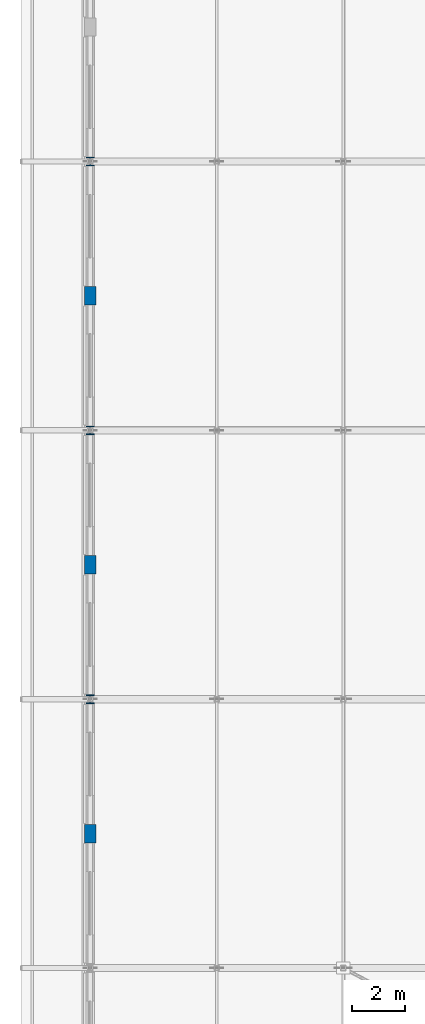
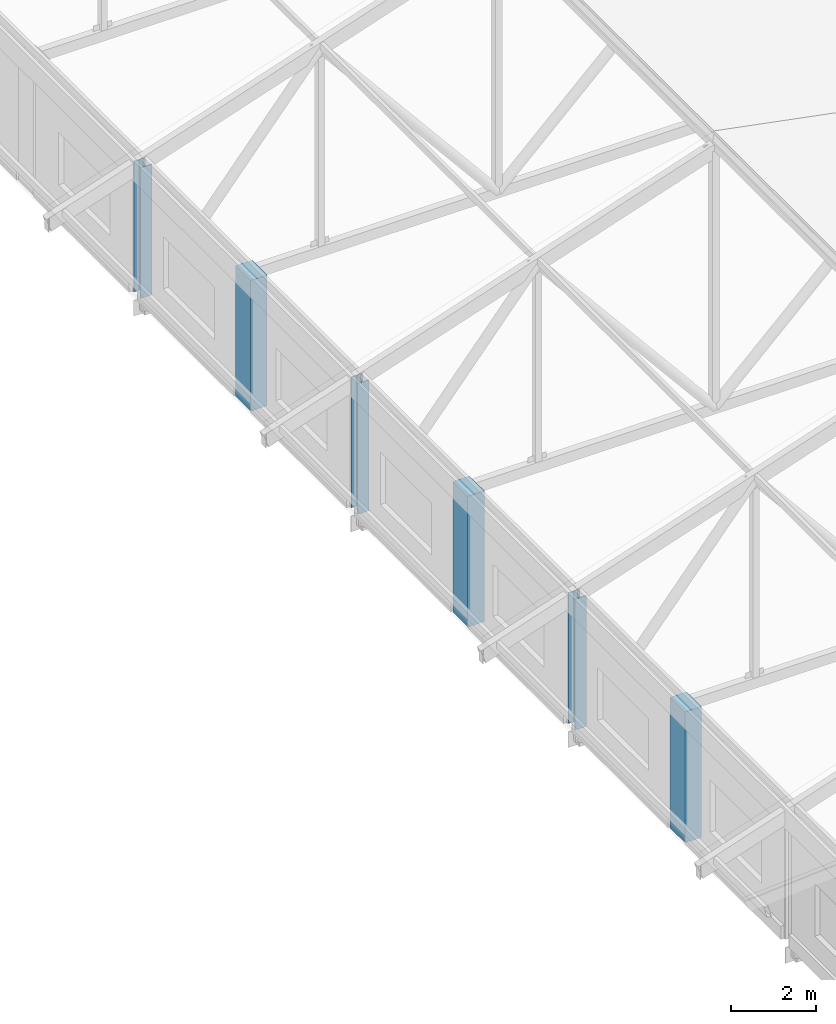
# One storey, part 5 of 200: 6 columns.
"""IFC4 building model written with IfcOpenShell, lengths in metres."""

from ifc_helpers import new_model, si_unit, direction, frame, origin, origin_2d, place, context, subcontext, project, spatial, rectangle, i_section, extrude, material, material_profile, profile_set, type_object, element, save


model = new_model("IFC4")

# Units and contexts
model_context = context("Model", 3, precision=1e-05, world=origin(), true_north=direction((0.0, 1.0)))
body_context = subcontext(model_context, "Body", "Model", "MODEL_VIEW")
ifc_project = project(units=[si_unit("LENGTHUNIT", "METRE"), si_unit("AREAUNIT", "SQUARE_METRE"), si_unit("VOLUMEUNIT", "CUBIC_METRE"), si_unit("PLANEANGLEUNIT", "RADIAN"), si_unit("MASSUNIT", "GRAM", prefix="KILO")], contexts=[model_context])

# Site, building, storey
site_placement = place(None, origin())
site = spatial("IfcSite", under=ifc_project, at=site_placement, CompositionType="ELEMENT")
building_placement = place(site_placement, origin())
building = spatial("IfcBuilding", under=site, at=building_placement, Name="Vondelvale Polytechnic", CompositionType="ELEMENT")
storey_placement = place(building_placement, frame((0.0, 0.0, 13.800048828125)))
storey = spatial("IfcBuildingStorey", under=building, at=storey_placement, Name="L03", CompositionType="ELEMENT", Elevation=13.800048828125)

# Columns
ifc_material_1 = material(Name="Steel 300PLUS (fy = 300 MPa)", Category="steel")
ifc_material_profile_1 = material_profile(ifc_material_1, i_section(OverallWidth=0.31103515625, OverallDepth=0.326904296875, WebThickness=0.015625, FlangeThickness=0.02490234375, FilletRadius=0.0166015625, at=origin_2d()), Name="310UC158")
ifc_profile_set_1 = profile_set([ifc_material_profile_1], Name="Steel 300PLUS (fy = 300 MPa)")
column_type_1 = type_object("IfcColumnType", Name="COL-UC310H", PredefinedType="COLUMN", material=ifc_profile_set_1)
for number, where, z_axis, x_axis, name in (
    (1, (0.0, 71.39990234375, 0.0), (0.0, 0.0, 1.0), (1.0, 0.0, 0.0), "L03 workshop West high-bay column (0.0,71.4)"),
    (2, (0.0, 81.60009765625, 0.0), (0.0, 0.0, 1.0), (1.0, 0.0, 0.0), "L03 workshop West high-bay column (0.0,81.6)"),
    (3, (0.0, 91.800048828125, 0.0), (0.0, 0.0, 1.0), (1.0, 0.0, 0.0), "L03 workshop West high-bay column (0.0,91.8)"),
):
    element("IfcColumn", number, at=place(storey_placement, frame(where, z_axis=z_axis, x_axis=x_axis)), inside=storey, type_object=column_type_1, Name=name, PredefinedType="COLUMN", context=body_context, shape_type="SweptSolid", body=[
        extrude(i_section(OverallWidth=0.31103515625, OverallDepth=0.326904296875, WebThickness=0.015625, FlangeThickness=0.02490234375, FilletRadius=0.0166015625, at=origin_2d()), origin(), (0.0, 0.0, 1.0), 3.75),
    ])
ifc_material_2 = material(Name="Concrete N50 (f'c = 50 MPa)", Category="concrete")
ifc_material_profile_2 = material_profile(ifc_material_2, rectangle(XDim=0.449951171875, YDim=0.699951171875, at=origin_2d()), Name="RC-PIL-700x450")
ifc_profile_set_2 = profile_set([ifc_material_profile_2], Name="Concrete N50 (f'c = 50 MPa)")
column_type_2 = type_object("IfcColumnType", Name="PIL-RC700x450", PredefinedType="PILASTER", material=ifc_profile_set_2)
for number, where, z_axis, x_axis, name in (
    (4, (0.0, 66.300048828125, 0.0), (0.0, 0.0, 1.0), (1.0, 0.0, 0.0), "L03 West workshop brick pilaster 2"),
    (5, (0.0, 76.5, 0.0), (0.0, 0.0, 1.0), (1.0, 0.0, 0.0), "L03 West workshop brick pilaster 3"),
    (6, (0.0, 86.699951171875, 0.0), (0.0, 0.0, 1.0), (1.0, 0.0, 0.0), "L03 West workshop brick pilaster 4"),
):
    element("IfcColumn", number, at=place(storey_placement, frame(where, z_axis=z_axis, x_axis=x_axis)), inside=storey, type_object=column_type_2, Name=name, PredefinedType="PILASTER", context=body_context, shape_type="SweptSolid", body=[
        extrude(rectangle(XDim=0.449951171875, YDim=0.699951171875, at=origin_2d()), origin(), (0.0, 0.0, 1.0), 3.75),
    ])

save(model, "model.ifc")
